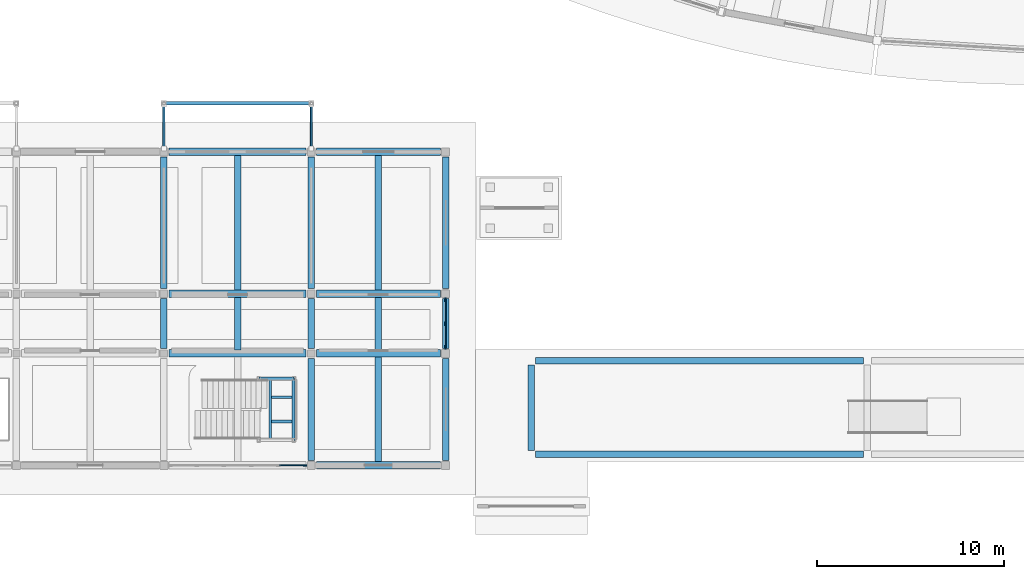
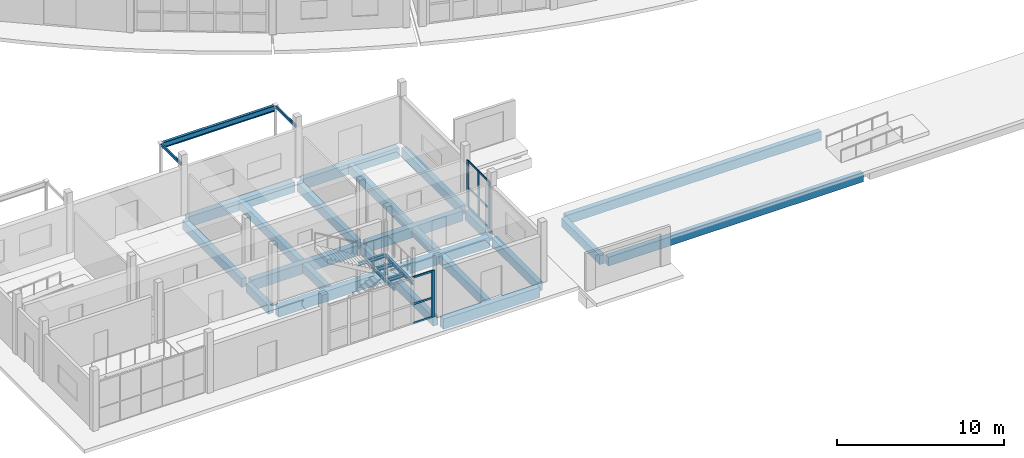
# One storey, part 24 of 92: 31 beams, 13 members, 2 elements without a shape of their own.
"""IFC4 building model written with IfcOpenShell, lengths in metres."""

from ifc_helpers import new_model, si_unit, direction, frame, origin, origin_2d, place, context, subcontext, project, spatial, rectangle, hollow_rectangle, i_section, extrude, material, layer, layer_set, material_profile, profile_set, type_object, element, aggregate, save


model = new_model("IFC4")

# Units and contexts
model_context = context("Model", 3, precision=1e-05, world=origin(), true_north=direction((0.0, 1.0)))
body_context = subcontext(model_context, "Body", "Model", "MODEL_VIEW")
ifc_project = project(units=[si_unit("LENGTHUNIT", "METRE"), si_unit("AREAUNIT", "SQUARE_METRE"), si_unit("VOLUMEUNIT", "CUBIC_METRE"), si_unit("PLANEANGLEUNIT", "RADIAN"), si_unit("MASSUNIT", "GRAM", prefix="KILO")], contexts=[model_context])

# Site, building, storey
site_placement = place(None, origin())
site = spatial("IfcSite", under=ifc_project, at=site_placement, CompositionType="ELEMENT")
building_placement = place(site_placement, origin())
building = spatial("IfcBuilding", under=site, at=building_placement, Name="Caldaven Crescent School", CompositionType="ELEMENT")
storey_placement = place(building_placement, origin())
storey = spatial("IfcBuildingStorey", under=building, at=storey_placement, Name="L00", CompositionType="ELEMENT", Elevation=0.0)

# Beams
ifc_material_1 = material(Name="Concrete C30/37", Category="concrete")
ifc_material_profile_1 = material_profile(ifc_material_1, rectangle(XDim=0.35009765625, YDim=0.64990234375, at=origin_2d()), Name="RC 350x650")
ifc_profile_set_1 = profile_set([ifc_material_profile_1], Name="Concrete C30/37")
beam_type_1 = type_object("IfcBeamType", Name="BM-RC35", PredefinedType="BEAM", material=ifc_profile_set_1)
beam_1_placement = place(storey_placement, frame((41.300048828125, 10.469970703125, -0.5849609375), z_axis=(0.0, 1.0, 0.0), x_axis=(-1.0, 0.0, 0.0)))
element("IfcBeam", 1, at=beam_1_placement, inside=storey, type_object=beam_type_1, Name="BMY-V4S-L00-0569", PredefinedType="BEAM", context=body_context, shape_type="SweptSolid", body=[
    extrude(rectangle(XDim=0.35009765625, YDim=0.64990234375, at=origin_2d()), origin(), (0.0, 0.0, 1.0), 2.659912109375),
])
beam_2_placement = place(storey_placement, frame((41.300048828125, 13.669921875, -0.5849609375), z_axis=(0.0, 1.0, 0.0), x_axis=(-1.0, 0.0, 0.0)))
element("IfcBeam", 2, at=beam_2_placement, inside=storey, type_object=beam_type_1, Name="BMY-V4S-L00-0570", PredefinedType="BEAM", context=body_context, shape_type="SweptSolid", body=[
    extrude(rectangle(XDim=0.35009765625, YDim=0.64990234375, at=origin_2d()), origin(), (0.0, 0.0, 1.0), 7.06005859375),
])
beam_3_placement = place(storey_placement, frame((49.199951171875, 4.469970703125, -0.5849609375), z_axis=(0.0, 1.0, 0.0), x_axis=(-1.0, 0.0, 0.0)))
element("IfcBeam", 3, at=beam_3_placement, inside=storey, type_object=beam_type_1, Name="BMY-V4S-L00-0571", PredefinedType="BEAM", context=body_context, shape_type="SweptSolid", body=[
    extrude(rectangle(XDim=0.35009765625, YDim=0.64990234375, at=origin_2d()), origin(), (0.0, 0.0, 1.0), 5.4599609375),
])
beam_4_placement = place(storey_placement, frame((49.199951171875, 10.469970703125, -0.5849609375), z_axis=(0.0, 1.0, 0.0), x_axis=(-1.0, 0.0, 0.0)))
element("IfcBeam", 4, at=beam_4_placement, inside=storey, type_object=beam_type_1, Name="BMY-V4S-L00-0572", PredefinedType="BEAM", context=body_context, shape_type="SweptSolid", body=[
    extrude(rectangle(XDim=0.35009765625, YDim=0.64990234375, at=origin_2d()), origin(), (0.0, 0.0, 1.0), 2.659912109375),
])
beam_5_placement = place(storey_placement, frame((49.199951171875, 13.669921875, -0.5849609375), z_axis=(0.0, 1.0, 0.0), x_axis=(-1.0, 0.0, 0.0)))
element("IfcBeam", 5, at=beam_5_placement, inside=storey, type_object=beam_type_1, Name="BMY-V4S-L00-0573", PredefinedType="BEAM", context=body_context, shape_type="SweptSolid", body=[
    extrude(rectangle(XDim=0.35009765625, YDim=0.64990234375, at=origin_2d()), origin(), (0.0, 0.0, 1.0), 7.06005859375),
])
beam_6_placement = place(storey_placement, frame((56.39990234375, 4.469970703125, -0.5849609375), z_axis=(0.0, 1.0, 0.0), x_axis=(-1.0, 0.0, 0.0)))
element("IfcBeam", 6, at=beam_6_placement, inside=storey, type_object=beam_type_1, Name="BMY-V4S-L00-0574", PredefinedType="BEAM", context=body_context, shape_type="SweptSolid", body=[
    extrude(rectangle(XDim=0.35009765625, YDim=0.64990234375, at=origin_2d()), origin(), (0.0, 0.0, 1.0), 5.4599609375),
])
beam_7_placement = place(storey_placement, frame((56.39990234375, 10.469970703125, -0.5849609375), z_axis=(0.0, 1.0, 0.0), x_axis=(-1.0, 0.0, 0.0)))
element("IfcBeam", 7, at=beam_7_placement, inside=storey, type_object=beam_type_1, Name="BMY-V4S-L00-0575", PredefinedType="BEAM", context=body_context, shape_type="SweptSolid", body=[
    extrude(rectangle(XDim=0.35009765625, YDim=0.64990234375, at=origin_2d()), origin(), (0.0, 0.0, 1.0), 2.659912109375),
])
beam_8_placement = place(storey_placement, frame((56.39990234375, 13.669921875, -0.5849609375), z_axis=(0.0, 1.0, 0.0), x_axis=(-1.0, 0.0, 0.0)))
element("IfcBeam", 8, at=beam_8_placement, inside=storey, type_object=beam_type_1, Name="BMY-V4S-L00-0576", PredefinedType="BEAM", context=body_context, shape_type="SweptSolid", body=[
    extrude(rectangle(XDim=0.35009765625, YDim=0.64990234375, at=origin_2d()), origin(), (0.0, 0.0, 1.0), 7.06005859375),
])
beam_9_placement = place(storey_placement, frame((45.25, 10.39501953125, -0.5849609375), z_axis=(0.0, 1.0, 0.0), x_axis=(-1.0, 0.0, 0.0)))
element("IfcBeam", 9, at=beam_9_placement, inside=storey, type_object=beam_type_1, Name="JS-V4S-L00-0583", PredefinedType="BEAM", context=body_context, shape_type="SweptSolid", body=[
    extrude(rectangle(XDim=0.35009765625, YDim=0.64990234375, at=origin_2d()), origin(), (0.0, 0.0, 1.0), 2.81005859375),
])
beam_10_placement = place(storey_placement, frame((45.25, 13.594970703125, -0.5849609375), z_axis=(0.0, 1.0, 0.0), x_axis=(-1.0, 0.0, 0.0)))
element("IfcBeam", 10, at=beam_10_placement, inside=storey, type_object=beam_type_1, Name="JS-V4S-L00-0584", PredefinedType="BEAM", context=body_context, shape_type="SweptSolid", body=[
    extrude(rectangle(XDim=0.35009765625, YDim=0.64990234375, at=origin_2d()), origin(), (0.0, 0.0, 1.0), 7.2099609375),
])
beam_11_placement = place(storey_placement, frame((52.800048828125, 4.39501953125, -0.5849609375), z_axis=(0.0, 1.0, 0.0), x_axis=(-1.0, 0.0, 0.0)))
element("IfcBeam", 11, at=beam_11_placement, inside=storey, type_object=beam_type_1, Name="JS-V4S-L00-0585", PredefinedType="BEAM", context=body_context, shape_type="SweptSolid", body=[
    extrude(rectangle(XDim=0.35009765625, YDim=0.64990234375, at=origin_2d()), origin(), (0.0, 0.0, 1.0), 5.60986328125),
])
beam_12_placement = place(storey_placement, frame((52.800048828125, 10.39501953125, -0.5849609375), z_axis=(0.0, 1.0, 0.0), x_axis=(-1.0, 0.0, 0.0)))
element("IfcBeam", 12, at=beam_12_placement, inside=storey, type_object=beam_type_1, Name="JS-V4S-L00-0586", PredefinedType="BEAM", context=body_context, shape_type="SweptSolid", body=[
    extrude(rectangle(XDim=0.35009765625, YDim=0.64990234375, at=origin_2d()), origin(), (0.0, 0.0, 1.0), 2.81005859375),
])
beam_13_placement = place(storey_placement, frame((52.800048828125, 13.594970703125, -0.5849609375), z_axis=(0.0, 1.0, 0.0), x_axis=(-1.0, 0.0, 0.0)))
element("IfcBeam", 13, at=beam_13_placement, inside=storey, type_object=beam_type_1, Name="JS-V4S-L00-0587", PredefinedType="BEAM", context=body_context, shape_type="SweptSolid", body=[
    extrude(rectangle(XDim=0.35009765625, YDim=0.64990234375, at=origin_2d()), origin(), (0.0, 0.0, 1.0), 7.2099609375),
])
beam_14_placement = place(storey_placement, frame((61.0, 5.010009765625, -0.56494140625), z_axis=(0.0, 1.0, 0.0), x_axis=(-1.0, 0.0, 0.0)))
element("IfcBeam", 14, at=beam_14_placement, inside=storey, type_object=beam_type_1, Name="BM-LOOP-Y-L00-1834", PredefinedType="BEAM", context=body_context, shape_type="SweptSolid", body=[
    extrude(rectangle(XDim=0.35009765625, YDim=0.64990234375, at=origin_2d()), origin(), (0.0, 0.0, 1.0), 4.580078125),
])
for number, where, z_axis, x_axis, name in (
    (15, (61.2099609375, 4.800048828125, -0.56494140625), (1.0, 0.0, 0.0), (0.0, 1.0, 0.0), "BM-LOOP-X-L00-1838"),
    (16, (61.2099609375, 9.800048828125, -0.56494140625), (1.0, 0.0, 0.0), (0.0, 1.0, 0.0), "BM-LOOP-X-L00-1839"),
):
    element("IfcBeam", number, at=place(storey_placement, frame(where, z_axis=z_axis, x_axis=x_axis)), inside=storey, type_object=beam_type_1, Name=name, PredefinedType="BEAM", context=body_context, shape_type="SweptSolid", body=[
        extrude(rectangle(XDim=0.35009765625, YDim=0.64990234375, at=origin_2d()), origin(), (0.0, 0.0, 1.0), 17.580078125),
    ])
ifc_material_2 = material(Name="Concrete C35/45", Category="concrete")
ifc_material_profile_2 = material_profile(ifc_material_2, rectangle(XDim=0.39990234375, YDim=0.75, at=origin_2d()), Name="RC 400x750")
ifc_profile_set_2 = profile_set([ifc_material_profile_2], Name="Concrete C35/45")
beam_type_2 = type_object("IfcBeamType", Name="BM-RC40", PredefinedType="BEAM", material=ifc_profile_set_2)
beam_15_placement = place(storey_placement, frame((49.469970703125, 4.199951171875, -0.635009765625), z_axis=(1.0, 0.0, 0.0), x_axis=(0.0, 1.0, 0.0)))
element("IfcBeam", 17, at=beam_15_placement, inside=storey, type_object=beam_type_2, Name="BMX-V4S-L00-0549", PredefinedType="BEAM", context=body_context, shape_type="SweptSolid", body=[
    extrude(rectangle(XDim=0.39990234375, YDim=0.75, at=origin_2d()), origin(), (0.0, 0.0, 1.0), 6.659912109375),
])
beam_16_placement = place(storey_placement, frame((41.570068359375, 10.199951171875, -0.635009765625), z_axis=(1.0, 0.0, 0.0), x_axis=(0.0, 1.0, 0.0)))
element("IfcBeam", 18, at=beam_16_placement, inside=storey, type_object=beam_type_2, Name="BMX-V4S-L00-0552", PredefinedType="BEAM", context=body_context, shape_type="SweptSolid", body=[
    extrude(rectangle(XDim=0.39990234375, YDim=0.75, at=origin_2d()), origin(), (0.0, 0.0, 1.0), 7.35986328125),
])
beam_17_placement = place(storey_placement, frame((49.469970703125, 10.199951171875, -0.635009765625), z_axis=(1.0, 0.0, 0.0), x_axis=(0.0, 1.0, 0.0)))
element("IfcBeam", 19, at=beam_17_placement, inside=storey, type_object=beam_type_2, Name="BMX-V4S-L00-0553", PredefinedType="BEAM", context=body_context, shape_type="SweptSolid", body=[
    extrude(rectangle(XDim=0.39990234375, YDim=0.75, at=origin_2d()), origin(), (0.0, 0.0, 1.0), 6.659912109375),
])
beam_18_placement = place(storey_placement, frame((41.570068359375, 13.39990234375, -0.635009765625), z_axis=(1.0, 0.0, 0.0), x_axis=(0.0, 1.0, 0.0)))
element("IfcBeam", 20, at=beam_18_placement, inside=storey, type_object=beam_type_2, Name="BMX-V4S-L00-0556", PredefinedType="BEAM", context=body_context, shape_type="SweptSolid", body=[
    extrude(rectangle(XDim=0.39990234375, YDim=0.75, at=origin_2d()), origin(), (0.0, 0.0, 1.0), 7.35986328125),
])
beam_19_placement = place(storey_placement, frame((49.469970703125, 13.39990234375, -0.635009765625), z_axis=(1.0, 0.0, 0.0), x_axis=(0.0, 1.0, 0.0)))
element("IfcBeam", 21, at=beam_19_placement, inside=storey, type_object=beam_type_2, Name="BMX-V4S-L00-0557", PredefinedType="BEAM", context=body_context, shape_type="SweptSolid", body=[
    extrude(rectangle(XDim=0.39990234375, YDim=0.75, at=origin_2d()), origin(), (0.0, 0.0, 1.0), 6.659912109375),
])
beam_20_placement = place(storey_placement, frame((41.570068359375, 21.0, -0.635009765625), z_axis=(1.0, 0.0, 0.0), x_axis=(0.0, 1.0, 0.0)))
element("IfcBeam", 22, at=beam_20_placement, inside=storey, type_object=beam_type_2, Name="BMX-V4S-L00-0560", PredefinedType="BEAM", context=body_context, shape_type="SweptSolid", body=[
    extrude(rectangle(XDim=0.39990234375, YDim=0.75, at=origin_2d()), origin(), (0.0, 0.0, 1.0), 7.35986328125),
])
beam_21_placement = place(storey_placement, frame((49.469970703125, 21.0, -0.635009765625), z_axis=(1.0, 0.0, 0.0), x_axis=(0.0, 1.0, 0.0)))
element("IfcBeam", 23, at=beam_21_placement, inside=storey, type_object=beam_type_2, Name="BMX-V4S-L00-0561", PredefinedType="BEAM", context=body_context, shape_type="SweptSolid", body=[
    extrude(rectangle(XDim=0.39990234375, YDim=0.75, at=origin_2d()), origin(), (0.0, 0.0, 1.0), 6.659912109375),
])
ifc_material_3 = material(Name="Steel ASTM A572 Grade 50", Category="steel")
ifc_material_profile_3 = material_profile(ifc_material_3, i_section(OverallWidth=0.14599609375, OverallDepth=0.258056640625, WebThickness=0.006103515625, FlangeThickness=0.009033203125, FilletRadius=0.011962890625, at=origin_2d()), Name="W250x33")
ifc_profile_set_3 = profile_set([ifc_material_profile_3], Name="Steel ASTM A572 Grade 50")
beam_type_3 = type_object("IfcBeamType", Name="BM-W25", PredefinedType="BEAM", material=ifc_profile_set_3)
beam_22_placement = place(storey_placement, frame((46.389892578125, 8.860107421875, 1.885986328125), z_axis=(1.0, 0.0, 0.0), x_axis=(0.0, 1.0, 0.0)))
element("IfcBeam", 24, at=beam_22_placement, inside=storey, type_object=beam_type_3, Name="BM-STSIDE-STV4S-L00-SR", PredefinedType="BEAM", context=body_context, shape_type="SweptSolid", body=[
    extrude(i_section(OverallWidth=0.14599609375, OverallDepth=0.258056640625, WebThickness=0.006103515625, FlangeThickness=0.009033203125, FilletRadius=0.011962890625, at=origin_2d()), origin(), (0.0, 0.0, 1.0), 1.880126953125),
])
for number, where, z_axis, x_axis, name in (
    (25, (47.0, 5.5400390625, 1.885986328125), (0.0, 1.0, 0.0), (-1.0, 0.0, 0.0), "BM-STLND-STV4S-L00-IN"),
    (26, (48.25, 5.5400390625, 1.885986328125), (0.0, 1.0, 0.0), (-1.0, 0.0, 0.0), "BM-STLND-STV4S-L00-OUT"),
):
    element("IfcBeam", number, at=place(storey_placement, frame(where, z_axis=z_axis, x_axis=x_axis)), inside=storey, type_object=beam_type_3, Name=name, PredefinedType="BEAM", context=body_context, shape_type="SweptSolid", body=[
        extrude(i_section(OverallWidth=0.14599609375, OverallDepth=0.258056640625, WebThickness=0.006103515625, FlangeThickness=0.009033203125, FilletRadius=0.011962890625, at=origin_2d()), origin(), (0.0, 0.0, 1.0), 3.320068359375),
    ])
ifc_material_profile_4 = material_profile(ifc_material_3, i_section(OverallWidth=0.180908203125, OverallDepth=0.4169921875, WebThickness=0.010986328125, FlangeThickness=0.018310546875, FilletRadius=0.014892578125, at=origin_2d()), Name="W410x85")
ifc_profile_set_4 = profile_set([ifc_material_profile_4], Name="Steel ASTM A572 Grade 50")
beam_type_4 = type_object("IfcBeamType", Name="BM-W41", PredefinedType="BEAM", material=ifc_profile_set_4)
beam_23_placement = place(storey_placement, frame((41.3701171875, 23.60009765625, 3.3916015625), z_axis=(1.0, 0.0, 0.0), x_axis=(0.0, 1.0, 0.0)))
element("IfcBeam", 27, at=beam_23_placement, inside=storey, type_object=beam_type_4, Name="BM-CAN-3-F-L00-0419", PredefinedType="BEAM", context=body_context, shape_type="SweptSolid", body=[
    extrude(i_section(OverallWidth=0.180908203125, OverallDepth=0.4169921875, WebThickness=0.010986328125, FlangeThickness=0.018310546875, FilletRadius=0.014892578125, at=origin_2d()), origin(), (0.0, 0.0, 1.0), 7.759765625),
])

# Curtain wall, member
ifc_material_4 = material(Name="Anodised aluminium AA 6063-T6 and low-E double glazing", Category="aluminium")
ifc_layer = layer(ifc_material_4, 0.2099609375)
ifc_layer_set = layer_set([ifc_layer], Name="Anodised aluminium AA 6063-T6 and low-E double glazing")
curtain_wall_type = type_object("IfcCurtainWallType", Name="CW-SYS3", PredefinedType="NOTDEFINED", material=ifc_layer_set)
curtain_wall_1_placement = place(storey_placement, origin())
curtain_wall_1 = element("IfcCurtainWall", 28, at=curtain_wall_1_placement, inside=storey, type_object=curtain_wall_type, Name="CW-L00-091", PredefinedType="NOTDEFINED")
ifc_material_5 = material(Name="Anodised aluminium AA 6063-T6", Category="aluminium")
ifc_material_profile_5 = material_profile(ifc_material_5, rectangle(XDim=0.070068359375, YDim=0.2099609375, at=origin_2d()), Name="CWM 70x210")
ifc_profile_set_5 = profile_set([ifc_material_profile_5], Name="Anodised aluminium AA 6063-T6")
member_type_1 = type_object("IfcMemberType", Name="CWM-T3", PredefinedType="MULLION", material=ifc_profile_set_5)
member_1_placement = place(storey_placement, frame((48.864990234375, 4.199951171875, 0.0), z_axis=(0.0, 0.0, 1.0), x_axis=(0.0, 1.0, 0.0)))
member_1 = element("IfcMember", 29, at=member_1_placement, type_object=member_type_1, Name="CW3 mullion 6", PredefinedType="MULLION", context=body_context, shape_type="SweptSolid", body=[
    extrude(rectangle(XDim=0.070068359375, YDim=0.2099609375, at=origin_2d()), origin(), (0.0, 0.0, 1.0), 3.39990234375),
])

# Curtain wall, members
curtain_wall_2_placement = place(storey_placement, origin())
curtain_wall_2 = element("IfcCurtainWall", 30, at=curtain_wall_2_placement, inside=storey, type_object=curtain_wall_type, Name="CW-L00-092", PredefinedType="NOTDEFINED")
member_2_placement = place(storey_placement, frame((56.39990234375, 10.534912109375, 0.0), z_axis=(0.0, 0.0, 1.0), x_axis=(-1.0, 0.0, 0.0)))
member_2 = element("IfcMember", 31, at=member_2_placement, type_object=member_type_1, Name="CW3 mullion 1", PredefinedType="MULLION", context=body_context, shape_type="SweptSolid", body=[
    extrude(rectangle(XDim=0.070068359375, YDim=0.2099609375, at=origin_2d()), origin(), (0.0, 0.0, 1.0), 3.39990234375),
])
member_3_placement = place(storey_placement, frame((56.39990234375, 11.800048828125, 0.0), z_axis=(0.0, 0.0, 1.0), x_axis=(-1.0, 0.0, 0.0)))
member_3 = element("IfcMember", 32, at=member_3_placement, type_object=member_type_1, Name="CW3 mullion 2", PredefinedType="MULLION", context=body_context, shape_type="SweptSolid", body=[
    extrude(rectangle(XDim=0.070068359375, YDim=0.2099609375, at=origin_2d()), origin(), (0.0, 0.0, 1.0), 3.39990234375),
])
member_4_placement = place(storey_placement, frame((56.39990234375, 13.06494140625, 0.0), z_axis=(0.0, 0.0, 1.0), x_axis=(-1.0, 0.0, 0.0)))
member_4 = element("IfcMember", 33, at=member_4_placement, type_object=member_type_1, Name="CW3 mullion 3", PredefinedType="MULLION", context=body_context, shape_type="SweptSolid", body=[
    extrude(rectangle(XDim=0.070068359375, YDim=0.2099609375, at=origin_2d()), origin(), (0.0, 0.0, 1.0), 3.39990234375),
])

# Member
ifc_material_profile_6 = material_profile(ifc_material_5, rectangle(XDim=0.06494140625, YDim=0.139892578125, at=origin_2d()), Name="CWT 65x140")
ifc_profile_set_6 = profile_set([ifc_material_profile_6], Name="Anodised aluminium AA 6063-T6")
member_type_2 = type_object("IfcMemberType", Name="CWT-T2", PredefinedType="USERDEFINED", material=ifc_profile_set_6)
member_5_placement = place(storey_placement, frame((47.47509765625, 4.199951171875, 0.032470703125), z_axis=(1.0, 0.0, 0.0), x_axis=(0.0, 1.0, 0.0)))
member_5 = element("IfcMember", 34, at=member_5_placement, type_object=member_type_2, Name="CW3 transom 5.1", ObjectType="TRANSOM", PredefinedType="USERDEFINED", context=body_context, shape_type="SweptSolid", body=[
    extrude(rectangle(XDim=0.06494140625, YDim=0.139892578125, at=origin_2d()), origin(), (0.0, 0.0, 1.0), 1.35498046875),
])

member_6_placement = place(storey_placement, frame((47.47509765625, 4.199951171875, 1.427978515625), z_axis=(1.0, 0.0, 0.0), x_axis=(0.0, 1.0, 0.0)))
member_6 = element("IfcMember", 35, at=member_6_placement, type_object=member_type_2, Name="CW3 transom 5.2", ObjectType="TRANSOM", PredefinedType="USERDEFINED", context=body_context, shape_type="SweptSolid", body=[
    extrude(rectangle(XDim=0.06494140625, YDim=0.139892578125, at=origin_2d()), origin(), (0.0, 0.0, 1.0), 1.35498046875),
])

member_7_placement = place(storey_placement, frame((47.47509765625, 4.199951171875, 3.367431640625), z_axis=(1.0, 0.0, 0.0), x_axis=(0.0, 1.0, 0.0)))
member_7 = element("IfcMember", 36, at=member_7_placement, type_object=member_type_2, Name="CW3 transom 5.3", ObjectType="TRANSOM", PredefinedType="USERDEFINED", context=body_context, shape_type="SweptSolid", body=[
    extrude(rectangle(XDim=0.06494140625, YDim=0.139892578125, at=origin_2d()), origin(), (0.0, 0.0, 1.0), 1.35498046875),
])

aggregate(curtain_wall_1, [member_1, member_5, member_6, member_7])

member_8_placement = place(storey_placement, frame((56.39990234375, 10.570068359375, 0.032470703125), z_axis=(0.0, 1.0, 0.0), x_axis=(-1.0, 0.0, 0.0)))
member_8 = element("IfcMember", 37, at=member_8_placement, type_object=member_type_2, Name="CW3 transom 1.1", ObjectType="TRANSOM", PredefinedType="USERDEFINED", context=body_context, shape_type="SweptSolid", body=[
    extrude(rectangle(XDim=0.06494140625, YDim=0.139892578125, at=origin_2d()), origin(), (0.0, 0.0, 1.0), 1.19482421875),
])

member_9_placement = place(storey_placement, frame((56.39990234375, 10.570068359375, 1.427978515625), z_axis=(0.0, 1.0, 0.0), x_axis=(-1.0, 0.0, 0.0)))
member_9 = element("IfcMember", 38, at=member_9_placement, type_object=member_type_2, Name="CW3 transom 1.2", ObjectType="TRANSOM", PredefinedType="USERDEFINED", context=body_context, shape_type="SweptSolid", body=[
    extrude(rectangle(XDim=0.06494140625, YDim=0.139892578125, at=origin_2d()), origin(), (0.0, 0.0, 1.0), 1.19482421875),
])

member_10_placement = place(storey_placement, frame((56.39990234375, 10.570068359375, 3.367431640625), z_axis=(0.0, 1.0, 0.0), x_axis=(-1.0, 0.0, 0.0)))
member_10 = element("IfcMember", 39, at=member_10_placement, type_object=member_type_2, Name="CW3 transom 1.3", ObjectType="TRANSOM", PredefinedType="USERDEFINED", context=body_context, shape_type="SweptSolid", body=[
    extrude(rectangle(XDim=0.06494140625, YDim=0.139892578125, at=origin_2d()), origin(), (0.0, 0.0, 1.0), 1.19482421875),
])

member_11_placement = place(storey_placement, frame((56.39990234375, 11.8349609375, 0.032470703125), z_axis=(0.0, 1.0, 0.0), x_axis=(-1.0, 0.0, 0.0)))
member_11 = element("IfcMember", 40, at=member_11_placement, type_object=member_type_2, Name="CW3 transom 2.1", ObjectType="TRANSOM", PredefinedType="USERDEFINED", context=body_context, shape_type="SweptSolid", body=[
    extrude(rectangle(XDim=0.06494140625, YDim=0.139892578125, at=origin_2d()), origin(), (0.0, 0.0, 1.0), 1.195068359375),
])

member_12_placement = place(storey_placement, frame((56.39990234375, 11.8349609375, 1.427978515625), z_axis=(0.0, 1.0, 0.0), x_axis=(-1.0, 0.0, 0.0)))
member_12 = element("IfcMember", 41, at=member_12_placement, type_object=member_type_2, Name="CW3 transom 2.2", ObjectType="TRANSOM", PredefinedType="USERDEFINED", context=body_context, shape_type="SweptSolid", body=[
    extrude(rectangle(XDim=0.06494140625, YDim=0.139892578125, at=origin_2d()), origin(), (0.0, 0.0, 1.0), 1.195068359375),
])

member_13_placement = place(storey_placement, frame((56.39990234375, 11.8349609375, 3.367431640625), z_axis=(0.0, 1.0, 0.0), x_axis=(-1.0, 0.0, 0.0)))
member_13 = element("IfcMember", 42, at=member_13_placement, type_object=member_type_2, Name="CW3 transom 2.3", ObjectType="TRANSOM", PredefinedType="USERDEFINED", context=body_context, shape_type="SweptSolid", body=[
    extrude(rectangle(XDim=0.06494140625, YDim=0.139892578125, at=origin_2d()), origin(), (0.0, 0.0, 1.0), 1.195068359375),
])

aggregate(curtain_wall_2, [member_2, member_3, member_4, member_8, member_9, member_10, member_11, member_12, member_13])

# Beams
ifc_material_profile_7 = material_profile(ifc_material_3, hollow_rectangle(XDim=0.1201171875, YDim=0.199951171875, WallThickness=0.008056640625, InnerFilletRadius=0.008056640625, OuterFilletRadius=0.01611328125, at=origin_2d()), Name="HSS 120x200x8")
ifc_profile_set_7 = profile_set([ifc_material_profile_7], Name="Steel ASTM A572 Grade 50")
beam_type_5 = type_object("IfcBeamType", Name="JS-HS20", PredefinedType="JOIST", material=ifc_profile_set_7)
for number, where, z_axis, x_axis, name in (
    (43, (41.300048828125, 21.179931640625, 3.5), (0.0, 1.0, 0.0), (-1.0, 0.0, 0.0), "BM-CAN-3-W-L00-0420"),
    (44, (49.199951171875, 21.179931640625, 3.5), (0.0, 1.0, 0.0), (-1.0, 0.0, 0.0), "BM-CAN-3-E-L00-0421"),
):
    element("IfcBeam", number, at=place(storey_placement, frame(where, z_axis=z_axis, x_axis=x_axis)), inside=storey, type_object=beam_type_5, Name=name, PredefinedType="JOIST", context=body_context, shape_type="SweptSolid", body=[
        extrude(hollow_rectangle(XDim=0.1201171875, YDim=0.199951171875, WallThickness=0.008056640625, InnerFilletRadius=0.008056640625, OuterFilletRadius=0.01611328125, at=origin_2d()), origin(), (0.0, 0.0, 1.0), 2.35009765625),
    ])
ifc_material_profile_8 = material_profile(ifc_material_3, i_section(OverallWidth=0.14599609375, OverallDepth=0.258056640625, WebThickness=0.006103515625, FlangeThickness=0.009033203125, FilletRadius=0.011962890625, at=origin_2d()), Name="W250x33")
ifc_profile_set_8 = profile_set([ifc_material_profile_8], Name="Steel ASTM A572 Grade 50")
beam_type_6 = type_object("IfcBeamType", Name="LN-W25", PredefinedType="LINTEL", material=ifc_profile_set_8)
for number, where, z_axis, x_axis, name in (
    (45, (47.080078125, 6.550048828125, 1.885986328125), (1.0, 0.0, 0.0), (0.0, 1.0, 0.0), "BM-STJST-STV4S-L00-JL"),
    (46, (47.080078125, 7.85009765625, 1.885986328125), (1.0, 0.0, 0.0), (0.0, 1.0, 0.0), "BM-STJST-STV4S-L00-JR"),
):
    element("IfcBeam", number, at=place(storey_placement, frame(where, z_axis=z_axis, x_axis=x_axis)), inside=storey, type_object=beam_type_6, Name=name, PredefinedType="LINTEL", context=body_context, shape_type="SweptSolid", body=[
        extrude(i_section(OverallWidth=0.14599609375, OverallDepth=0.258056640625, WebThickness=0.006103515625, FlangeThickness=0.009033203125, FilletRadius=0.011962890625, at=origin_2d()), origin(), (0.0, 0.0, 1.0), 1.08984375),
    ])

save(model, "model.ifc")
